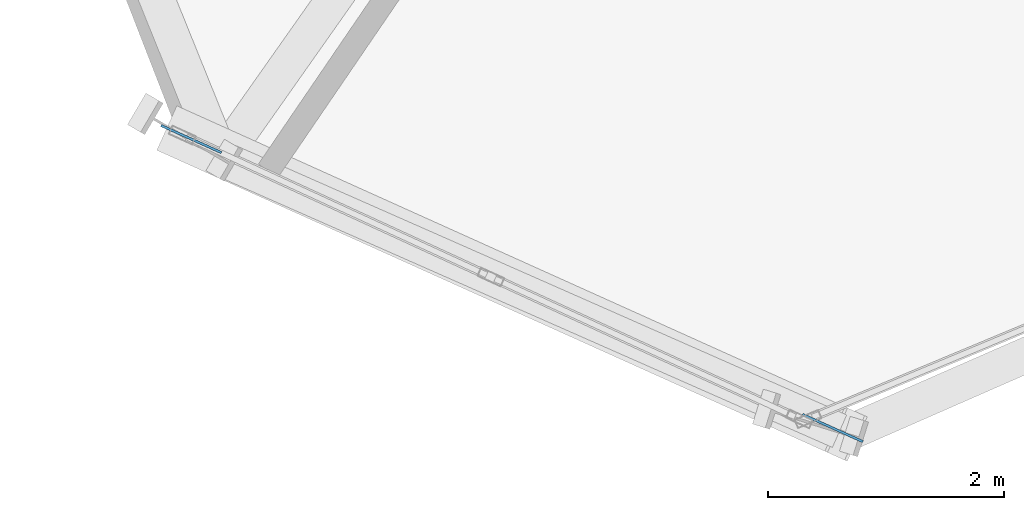
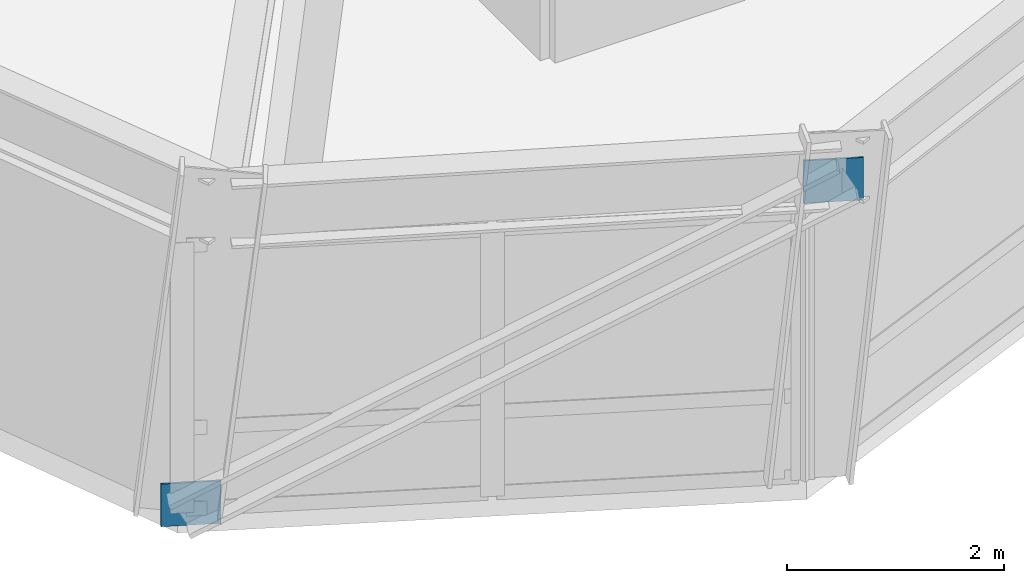
# One storey, part 10 of 19: 2 plates.
"""IFC4 building model written with IfcOpenShell, lengths in metres."""

from ifc_helpers import new_model, si_unit, direction, frame, origin, origin_2d, place, context, subcontext, project, spatial, rectangle, extrude, source, transform, mapped, material, type_object, element, save


model = new_model("IFC4")

# Units and contexts
model_context = context("Model", 3, precision=1e-05, world=origin(), true_north=direction((0.0, 1.0)))
body_context = subcontext(model_context, "Body", "Model", "MODEL_VIEW")
ifc_project = project(units=[si_unit("LENGTHUNIT", "METRE"), si_unit("AREAUNIT", "SQUARE_METRE"), si_unit("VOLUMEUNIT", "CUBIC_METRE"), si_unit("PLANEANGLEUNIT", "RADIAN"), si_unit("MASSUNIT", "GRAM", prefix="KILO")], contexts=[model_context])

# Site, building, storey
site_placement = place(None, origin())
site = spatial("IfcSite", under=ifc_project, at=site_placement, CompositionType="ELEMENT")
building_placement = place(site_placement, origin())
building = spatial("IfcBuilding", under=site, at=building_placement, Name="Olszyna Solenne Hotel", CompositionType="ELEMENT")
storey_placement = place(building_placement, frame((0.0, 0.0, 71.89990234375)))
storey = spatial("IfcBuildingStorey", under=building, at=storey_placement, Name="L18", CompositionType="ELEMENT", Elevation=71.89990234375)

# Plates
ifc_material = material(Name="Steel S355J2", Category="steel")
plate_type = type_object("IfcPlateType", Name="GP-ND2", PredefinedType="USERDEFINED", material=ifc_material)
shared_shape = source(origin(), body_context, "Body", "SweptSolid", [
    extrude(rectangle(XDim=0.56005859375, YDim=0.02001953125, at=origin_2d()), origin(), (0.0, 0.0, 1.0), 0.47998046875),
])
for number, where, z_axis, x_axis, name in (
    (1, (23.0517578125, 5.90869140625, -0.163330078125), (0.0, 0.0, 1.0), (0.911762043577, -0.410718852613, 0.0), "Brace end connection gusset plate GP-ND2 EP-BR-L18-3-1"),
    (2, (28.47802734375, 3.4638671875, 3.05859375), (0.0, 0.0, 1.0), (0.911762043577, -0.410718852613, 0.0), "Brace end connection gusset plate GP-ND2 EP-BR-L18-3-2"),
):
    element("IfcPlate", number, at=place(storey_placement, frame(where, z_axis=z_axis, x_axis=x_axis)), inside=storey, type_object=plate_type, Name=name, ObjectType="GUSSET_PLATE", PredefinedType="USERDEFINED", context=body_context, shape_type="MappedRepresentation", body=[
        mapped(shared_shape, transform((0.0, 0.0, 0.0), x_axis=(1.0, 0.0, 0.0), y_axis=(0.0, 1.0, 0.0), z_axis=(0.0, 0.0, 1.0), scale=1.0)),
    ])

save(model, "model.ifc")
